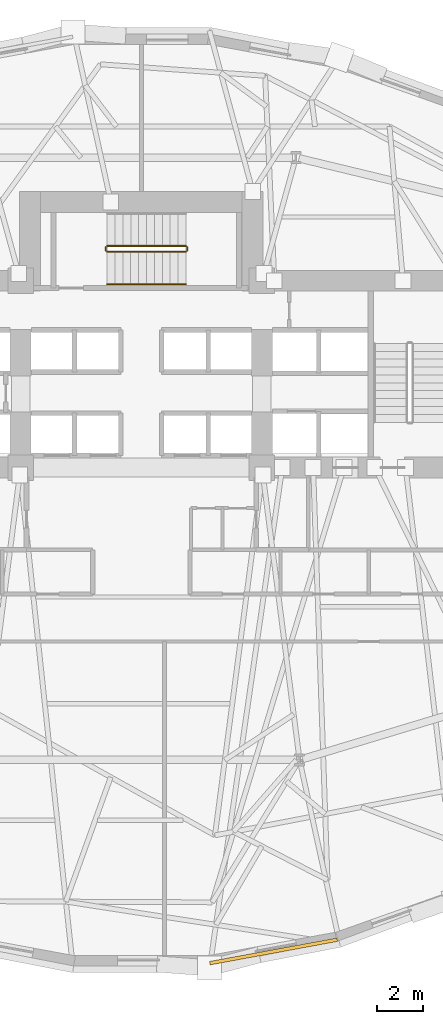
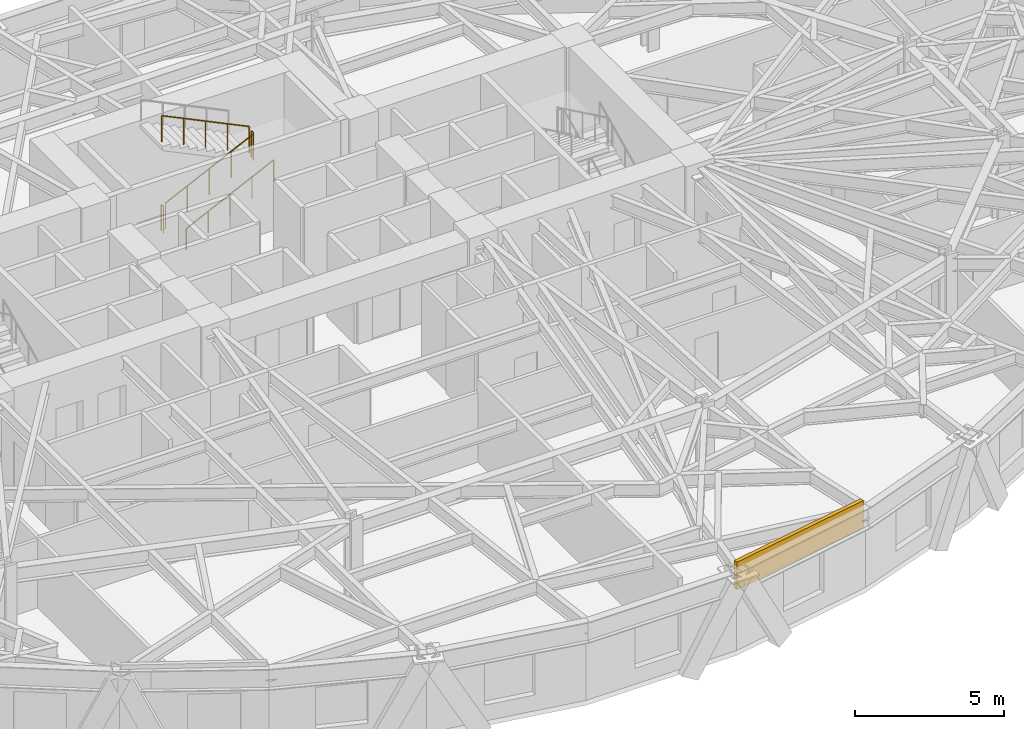
# One storey, part 12 of 14: 5 railings, 1 covering.
"""IFC4 building model written with IfcOpenShell, lengths in metres."""

from ifc_helpers import new_model, si_unit, direction, frame, origin, origin_2d, place, context, subcontext, project, spatial, rectangle, circle, extrude, material, layer, layer_set, type_object, element, save


model = new_model("IFC4")

# Units and contexts
model_context = context("Model", 3, precision=1e-05, world=origin(), true_north=direction((0.0, 1.0)))
body_context = subcontext(model_context, "Body", "Model", "MODEL_VIEW")
ifc_project = project(units=[si_unit("LENGTHUNIT", "METRE"), si_unit("AREAUNIT", "SQUARE_METRE"), si_unit("VOLUMEUNIT", "CUBIC_METRE"), si_unit("PLANEANGLEUNIT", "RADIAN"), si_unit("MASSUNIT", "GRAM", prefix="KILO")], contexts=[model_context])

# Site, building, storey
site_placement = place(None, origin())
site = spatial("IfcSite", under=ifc_project, at=site_placement, CompositionType="ELEMENT")
building_placement = place(site_placement, origin())
building = spatial("IfcBuilding", under=site, at=building_placement, Name="Keldmark Tower", CompositionType="ELEMENT")
storey_placement = place(building_placement, frame((0.0, 0.0, 66.60009765625)))
storey = spatial("IfcBuildingStorey", under=building, at=storey_placement, Name="L17", CompositionType="ELEMENT", Elevation=66.60009765625)

# Covering
ifc_material_1 = material(Name="Honed Kasota Buff Dolomitic Limestone", Category="masonry")
ifc_layer = layer(ifc_material_1, 0.074951171875)
ifc_layer_set = layer_set([ifc_layer], Name="Honed Kasota Buff Dolomitic Limestone")
covering_type = type_object("IfcCoveringType", Name="Kasota Buff Limestone Spandrel Cladding Band", PredefinedType="CLADDING", material=ifc_layer_set)
covering_placement = place(storey_placement, frame((5.70068359375, -19.460205078125, 2.452880859375), z_axis=(0.0, 0.0, 1.0), x_axis=(0.983473656597, 0.181051282181, 0.0)))
element("IfcCovering", 1, at=covering_placement, inside=storey, type_object=covering_type, Name="L17 Kasota Limestone Spandrel Band 25", PredefinedType="CLADDING", context=body_context, shape_type="SweptSolid", body=[
    extrude(rectangle(XDim=5.580322265625, YDim=0.14990234375, at=origin_2d()), origin(), (0.0, 0.0, 1.0), 1.126953125),
])

# Railings
ifc_material_2 = material(Name="Painted Steel ASTM A500 Grade B", Category="steel")
railing_type_1 = type_object("IfcRailingType", Name="Painted Steel Stair Well Guard 1100 mm", PredefinedType="GUARDRAIL", material=ifc_material_2)
railing_1_placement = place(storey_placement, frame((-1.47509765625, 10.699951171875, 0.16357421875)))
element("IfcRailing", 2, at=railing_1_placement, inside=storey, type_object=railing_type_1, Name="L17 ST3 stair guard 1", PredefinedType="GUARDRAIL", context=body_context, shape_type="SweptSolid", body=[
    extrude(circle(Radius=0.02392578125, at=origin_2d()), frame((0.0, 0.0, 1.076171875), z_axis=(0.901092505359, 0.0, 0.433626909666), x_axis=(0.0, 1.0, 0.0)), (0.0, 0.0, 1.0), 3.7734375),
    extrude(circle(Radius=0.02099609375, at=origin_2d()), origin(), (0.0, 0.0, 1.0), 1.052001953125),
    extrude(circle(Radius=0.02099609375, at=origin_2d()), frame((0.85009765625, 0.0, 0.4091796875)), (0.0, 0.0, 1.0), 1.052001953125),
    extrude(circle(Radius=0.02099609375, at=origin_2d()), frame((1.7001953125, 0.0, 0.818115234375)), (0.0, 0.0, 1.0), 1.052001953125),
    extrude(circle(Radius=0.02099609375, at=origin_2d()), frame((2.550048828125, 0.0, 1.22705078125)), (0.0, 0.0, 1.0), 1.052001953125),
    extrude(circle(Radius=0.02099609375, at=origin_2d()), frame((3.400146484375, 0.0, 1.63623046875)), (0.0, 0.0, 1.0), 1.052001953125),
])
railing_2_placement = place(storey_placement, frame((1.97509765625, 10.75, 1.7998046875)))
element("IfcRailing", 3, at=railing_2_placement, inside=storey, type_object=railing_type_1, Name="L17 ST3 stair guard 2", PredefinedType="GUARDRAIL", context=body_context, shape_type="SweptSolid", body=[
    extrude(circle(Radius=0.02392578125, at=origin_2d()), frame((0.0, 0.0, 1.076171875), z_axis=(0.0, 1.0, 0.0), x_axis=(-1.0, 0.0, 0.0)), (0.0, 0.0, 1.0), 0.14990234375),
    extrude(circle(Radius=0.02099609375, at=origin_2d()), origin(), (0.0, 0.0, 1.0), 1.052001953125),
    extrude(circle(Radius=0.02099609375, at=origin_2d()), frame((0.0, 0.14990234375, 0.0)), (0.0, 0.0, 1.0), 1.052001953125),
])
railing_3_placement = place(storey_placement, frame((1.925048828125, 10.949951171875, 1.963623046875)))
element("IfcRailing", 4, at=railing_3_placement, inside=storey, type_object=railing_type_1, Name="L17 ST3 stair guard 3", PredefinedType="GUARDRAIL", context=body_context, shape_type="SweptSolid", body=[
    extrude(circle(Radius=0.02392578125, at=origin_2d()), frame((0.0, 0.0, 1.076171875), z_axis=(-0.901092505359, 0.0, 0.433626909666), x_axis=(0.0, -1.0, 0.0)), (0.0, 0.0, 1.0), 3.7734375),
    extrude(circle(Radius=0.02099609375, at=origin_2d()), origin(), (0.0, 0.0, 1.0), 1.052001953125),
    extrude(circle(Radius=0.02099609375, at=origin_2d()), frame((-0.85009765625, 0.0, 0.4091796875)), (0.0, 0.0, 1.0), 1.052001953125),
    extrude(circle(Radius=0.02099609375, at=origin_2d()), frame((-1.7001953125, 0.0, 0.818115234375)), (0.0, 0.0, 1.0), 1.052001953125),
    extrude(circle(Radius=0.02099609375, at=origin_2d()), frame((-2.550048828125, 0.0, 1.22705078125)), (0.0, 0.0, 1.0), 1.052001953125),
    extrude(circle(Radius=0.02099609375, at=origin_2d()), frame((-3.400146484375, 0.0, 1.63623046875)), (0.0, 0.0, 1.0), 1.052001953125),
])
railing_4_placement = place(storey_placement, frame((-1.52490234375, 10.75, 0.0)))
element("IfcRailing", 5, at=railing_4_placement, inside=storey, type_object=railing_type_1, Name="L17 ST3 stair guard 4", PredefinedType="GUARDRAIL", context=body_context, shape_type="SweptSolid", body=[
    extrude(circle(Radius=0.02392578125, at=origin_2d()), frame((0.0, 0.0, 1.076171875), z_axis=(0.0, 1.0, 0.0), x_axis=(-1.0, 0.0, 0.0)), (0.0, 0.0, 1.0), 0.14990234375),
    extrude(circle(Radius=0.02099609375, at=origin_2d()), origin(), (0.0, 0.0, 1.0), 1.052001953125),
    extrude(circle(Radius=0.02099609375, at=origin_2d()), frame((0.0, 0.14990234375, 0.0)), (0.0, 0.0, 1.0), 1.052001953125),
])
ifc_material_3 = material(Name="Stainless Steel AISI 316L", Category="steel")
railing_type_2 = type_object("IfcRailingType", Name="Stainless Steel Stair Handrail 900 mm", PredefinedType="HANDRAIL", material=ifc_material_3)
railing_5_placement = place(storey_placement, frame((-1.47509765625, 9.300048828125, 0.16357421875)))
element("IfcRailing", 6, at=railing_5_placement, inside=storey, type_object=railing_type_2, Name="L17 ST3 stair handrail 1", PredefinedType="HANDRAIL", context=body_context, shape_type="SweptSolid", body=[
    extrude(circle(Radius=0.02392578125, at=origin_2d()), frame((0.0, 0.0, 0.8759765625), z_axis=(0.901092505359, 0.0, 0.433626909666), x_axis=(0.0, 1.0, 0.0)), (0.0, 0.0, 1.0), 3.7734375),
    extrude(circle(Radius=0.02099609375, at=origin_2d()), origin(), (0.0, 0.0, 1.0), 0.851806640625),
    extrude(circle(Radius=0.02099609375, at=origin_2d()), frame((0.85009765625, 0.0, 0.4091796875)), (0.0, 0.0, 1.0), 0.851806640625),
    extrude(circle(Radius=0.02099609375, at=origin_2d()), frame((1.7001953125, 0.0, 0.818115234375)), (0.0, 0.0, 1.0), 0.851806640625),
    extrude(circle(Radius=0.02099609375, at=origin_2d()), frame((2.550048828125, 0.0, 1.22705078125)), (0.0, 0.0, 1.0), 0.851806640625),
    extrude(circle(Radius=0.02099609375, at=origin_2d()), frame((3.400146484375, 0.0, 1.63623046875)), (0.0, 0.0, 1.0), 0.851806640625),
])

save(model, "model.ifc")
